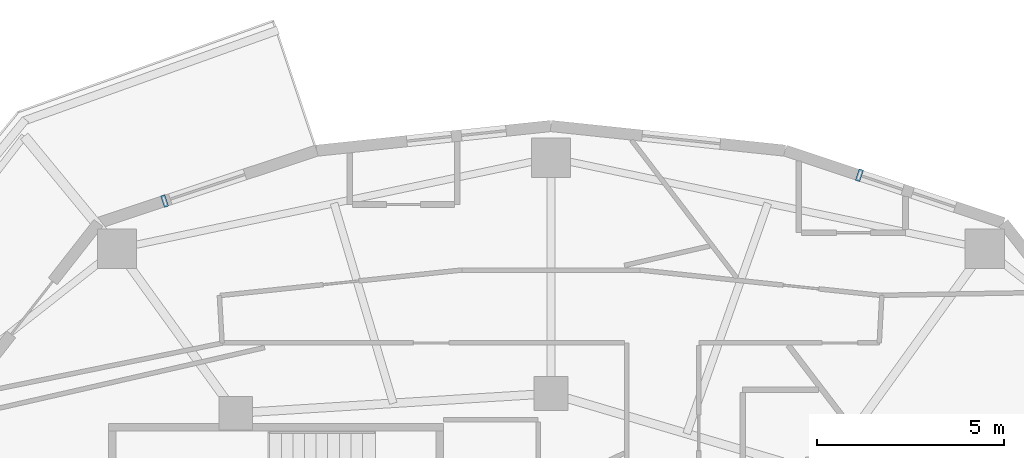
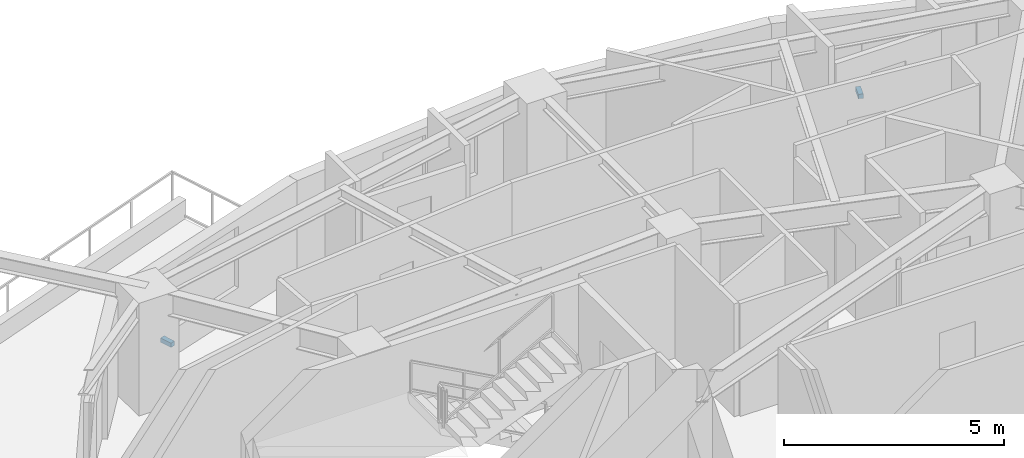
# One storey, part 9 of 14: 2 discrete accessories.
"""IFC4 building model written with IfcOpenShell, lengths in metres."""

from ifc_helpers import new_model, si_unit, direction, frame, origin, origin_2d, place, context, subcontext, project, spatial, rectangle, extrude, material, type_object, element, save


model = new_model("IFC4")

# Units and contexts
model_context = context("Model", 3, precision=1e-05, world=origin(), true_north=direction((0.0, 1.0)))
body_context = subcontext(model_context, "Body", "Model", "MODEL_VIEW")
ifc_project = project(units=[si_unit("LENGTHUNIT", "METRE"), si_unit("AREAUNIT", "SQUARE_METRE"), si_unit("VOLUMEUNIT", "CUBIC_METRE"), si_unit("PLANEANGLEUNIT", "RADIAN"), si_unit("MASSUNIT", "GRAM", prefix="KILO")], contexts=[model_context])

# Site, building, storey
site_placement = place(None, origin())
site = spatial("IfcSite", under=ifc_project, at=site_placement, CompositionType="ELEMENT")
building_placement = place(site_placement, origin())
building = spatial("IfcBuilding", under=site, at=building_placement, Name="Kolvaren Gate Tower and Convention Centre", CompositionType="ELEMENT")
storey_placement = place(building_placement, frame((0.0, 0.0, 118.89990234375)))
storey = spatial("IfcBuildingStorey", under=building, at=storey_placement, Name="L29", CompositionType="ELEMENT", Elevation=118.89990234375)

# Discrete accessories
ifc_material = material(Name="Anodized Architectural Aluminium Alloy 6063-T6", Category="aluminium")
discrete_accessory_type = type_object("IfcDiscreteAccessoryType", Name="ARCH-ACC-BRACKET-120", PredefinedType="BRACKET", material=ifc_material)
for number, where, z_axis, x_axis, name in (
    (1, (38.369140625, 45.033203125, 0.2900390625), (0.0, 0.0, 1.0), (0.949240081615, -0.314552487599, 0.0), "Ceramic Fin Wall Anchor Bracket FBK-L29-04"),
    (2, (19.7998046875, 44.343505859375, 0.2900390625), (0.0, 0.0, 1.0), (0.949238434609, 0.314557457804, 0.0), "Ceramic Fin Wall Anchor Bracket FBK-L29-07"),
):
    element("IfcDiscreteAccessory", number, at=place(storey_placement, frame(where, z_axis=z_axis, x_axis=x_axis)), inside=storey, type_object=discrete_accessory_type, Name=name, PredefinedType="BRACKET", context=body_context, shape_type="SweptSolid", body=[
        extrude(rectangle(XDim=0.1201171875, YDim=0.320068359375, at=origin_2d()), origin(), (0.0, 0.0, 1.0), 0.1201171875),
    ])

save(model, "model.ifc")
